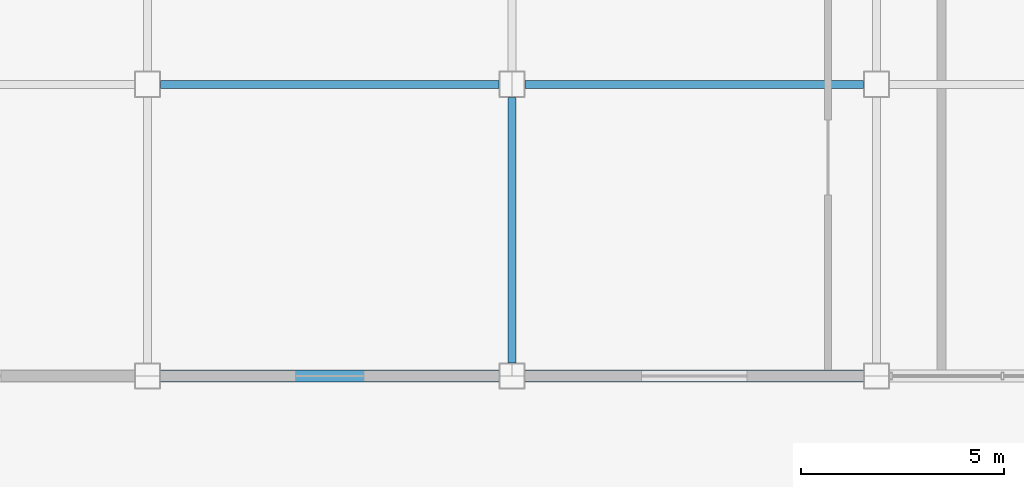
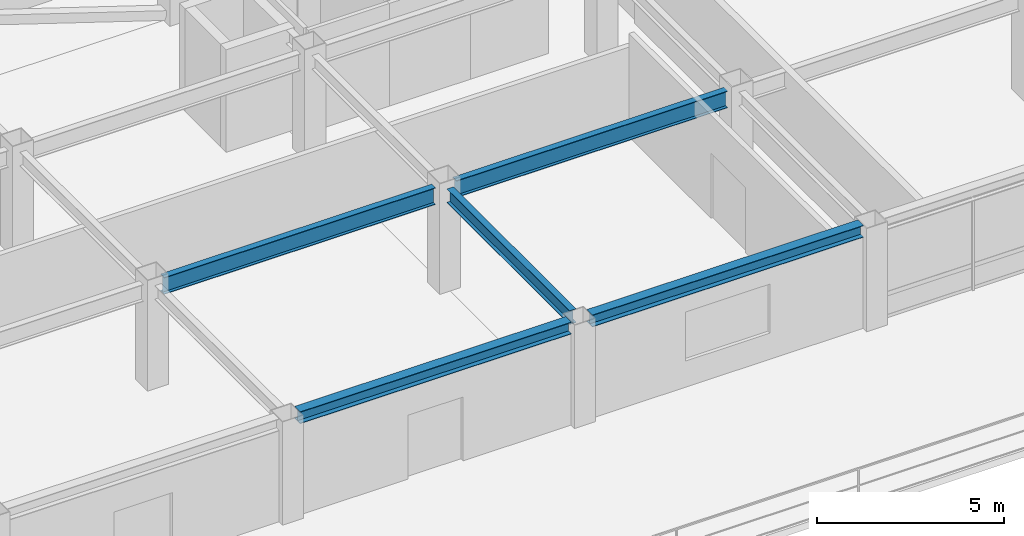
# One storey, part 21 of 34: 5 beams.
"""IFC4 building model written with IfcOpenShell, lengths in metres."""

from ifc_helpers import new_model, si_unit, direction, frame, origin, origin_2d, place, context, subcontext, project, spatial, i_section, extrude, material, material_profile, profile_set, type_object, element, save


model = new_model("IFC4")

# Units and contexts
model_context = context("Model", 3, precision=1e-05, world=origin(), true_north=direction((0.0, 1.0)))
body_context = subcontext(model_context, "Body", "Model", "MODEL_VIEW")
ifc_project = project(units=[si_unit("LENGTHUNIT", "METRE"), si_unit("AREAUNIT", "SQUARE_METRE"), si_unit("VOLUMEUNIT", "CUBIC_METRE"), si_unit("PLANEANGLEUNIT", "RADIAN"), si_unit("MASSUNIT", "GRAM", prefix="KILO")], contexts=[model_context])

# Site, building, storey
site_placement = place(None, origin())
site = spatial("IfcSite", under=ifc_project, at=site_placement, CompositionType="ELEMENT")
building_placement = place(site_placement, origin())
building = spatial("IfcBuilding", under=site, at=building_placement, Name="Kazanami Central Library", CompositionType="ELEMENT")
storey_placement = place(building_placement, frame((0.0, 0.0, 17.0)))
storey = spatial("IfcBuildingStorey", under=building, at=storey_placement, Name="L05", CompositionType="ELEMENT", Elevation=17.0)

# Beams
ifc_material = material(Name="Steel SN490B (325 MPa)", Category="steel")
ifc_material_profile_1 = material_profile(ifc_material, i_section(OverallWidth=0.199951171875, OverallDepth=0.550048828125, WebThickness=0.010009765625, FlangeThickness=0.01611328125, at=origin_2d()), Name="H-550x200x10x16")
ifc_profile_set_1 = profile_set([ifc_material_profile_1], Name="Steel SN490B (325 MPa)")
beam_type_1 = type_object("IfcBeamType", Name="BM-G-X3", PredefinedType="BEAM", material=ifc_profile_set_1)
for number, where, z_axis, x_axis, name in (
    (1, (126.322998046875, 57.60009765625, 3.06494140625), (1.0, 0.0, 0.0), (0.0, 1.0, 0.0), "Girder G-X3 L05 J/15-16"),
    (2, (135.322998046875, 57.60009765625, 3.06494140625), (1.0, 0.0, 0.0), (0.0, 1.0, 0.0), "Girder G-X3 L05 J/16-17"),
):
    element("IfcBeam", number, at=place(storey_placement, frame(where, z_axis=z_axis, x_axis=x_axis)), inside=storey, type_object=beam_type_1, Name=name, PredefinedType="BEAM", context=body_context, shape_type="SweptSolid", body=[
        extrude(i_section(OverallWidth=0.199951171875, OverallDepth=0.550048828125, WebThickness=0.010009765625, FlangeThickness=0.01611328125, at=origin_2d()), origin(), (0.0, 0.0, 1.0), 8.35400390625),
    ])
ifc_material_profile_2 = material_profile(ifc_material, i_section(OverallWidth=0.199951171875, OverallDepth=0.449951171875, WebThickness=0.009033203125, FlangeThickness=0.013916015625, at=origin_2d()), Name="H-450x200x9x14")
ifc_profile_set_2 = profile_set([ifc_material_profile_2], Name="Steel SN490B (325 MPa)")
beam_type_2 = type_object("IfcBeamType", Name="BM-G-Y3", PredefinedType="BEAM", material=ifc_profile_set_2)
beam_placement = place(storey_placement, frame((135.0, 50.722900390625, 3.135009765625), z_axis=(0.0, 1.0, 0.0), x_axis=(-1.0, 0.0, 0.0)))
element("IfcBeam", 3, at=beam_placement, inside=storey, type_object=beam_type_2, Name="Girder G-Y3 L05 16/H-J", PredefinedType="BEAM", context=body_context, shape_type="SweptSolid", body=[
    extrude(i_section(OverallWidth=0.199951171875, OverallDepth=0.449951171875, WebThickness=0.009033203125, FlangeThickness=0.013916015625, at=origin_2d()), origin(), (0.0, 0.0, 1.0), 6.55419921875),
])
ifc_material_profile_3 = material_profile(ifc_material, i_section(OverallWidth=0.300048828125, OverallDepth=0.389892578125, WebThickness=0.010009765625, FlangeThickness=0.01611328125, at=origin_2d()), Name="H-390x300x10x16")
ifc_profile_set_3 = profile_set([ifc_material_profile_3], Name="Steel SN490B (325 MPa)")
beam_type_3 = type_object("IfcBeamType", Name="BM-SP-4", PredefinedType="SPANDREL", material=ifc_profile_set_3)
for number, where, z_axis, x_axis, name in (
    (4, (126.322998046875, 50.39990234375, 3.1650390625), (1.0, 0.0, 0.0), (0.0, 1.0, 0.0), "Girder SP-4 L05 H/15-16"),
    (5, (135.322998046875, 50.39990234375, 3.1650390625), (1.0, 0.0, 0.0), (0.0, 1.0, 0.0), "Girder SP-4 L05 H/16-17"),
):
    element("IfcBeam", number, at=place(storey_placement, frame(where, z_axis=z_axis, x_axis=x_axis)), inside=storey, type_object=beam_type_3, Name=name, PredefinedType="SPANDREL", context=body_context, shape_type="SweptSolid", body=[
        extrude(i_section(OverallWidth=0.300048828125, OverallDepth=0.389892578125, WebThickness=0.010009765625, FlangeThickness=0.01611328125, at=origin_2d()), origin(), (0.0, 0.0, 1.0), 8.35400390625),
    ])

save(model, "model.ifc")
